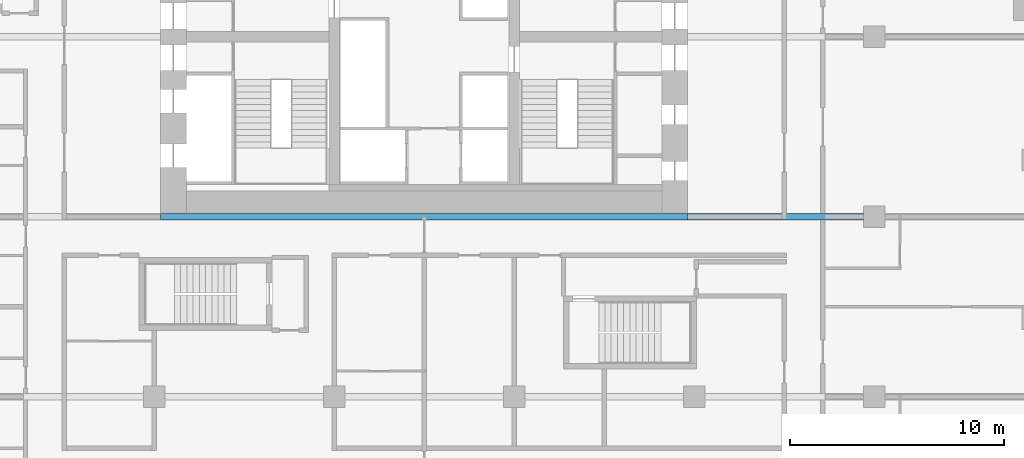
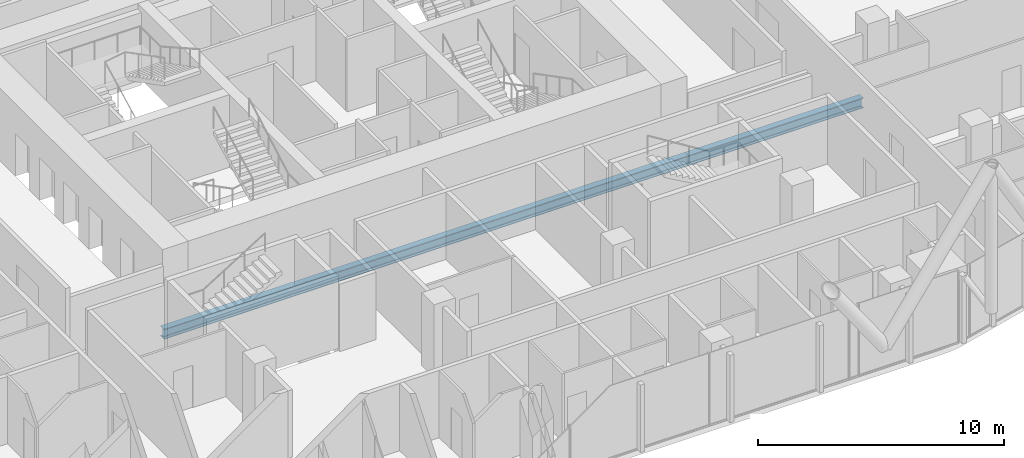
# One storey, part 7 of 38: 2 beams.
"""IFC4 building model written with IfcOpenShell, lengths in metres."""

from ifc_helpers import new_model, si_unit, direction, frame, origin, origin_2d, place, context, subcontext, project, spatial, i_section, extrude, material, material_profile, profile_set, type_object, element, save


model = new_model("IFC4")

# Units and contexts
model_context = context("Model", 3, precision=1e-05, world=origin(), true_north=direction((0.0, 1.0)))
body_context = subcontext(model_context, "Body", "Model", "MODEL_VIEW")
ifc_project = project(units=[si_unit("LENGTHUNIT", "METRE"), si_unit("AREAUNIT", "SQUARE_METRE"), si_unit("VOLUMEUNIT", "CUBIC_METRE"), si_unit("PLANEANGLEUNIT", "RADIAN"), si_unit("MASSUNIT", "GRAM", prefix="KILO")], contexts=[model_context])

# Site, building, storey
site_placement = place(None, origin())
site = spatial("IfcSite", under=ifc_project, at=site_placement, CompositionType="ELEMENT")
building_placement = place(site_placement, origin())
building = spatial("IfcBuilding", under=site, at=building_placement, Name="Marenta Gate Hotel Tower", CompositionType="ELEMENT")
storey_placement = place(building_placement, frame((0.0, 0.0, 40.10009765625)))
storey = spatial("IfcBuildingStorey", under=building, at=storey_placement, Name="L07", CompositionType="ELEMENT", Elevation=40.10009765625)

# Beams
ifc_material = material(Name="Steel S355", Category="steel")
ifc_material_profile = material_profile(ifc_material, i_section(OverallWidth=0.300048828125, OverallDepth=0.5, WebThickness=0.014404296875, FlangeThickness=0.028076171875, FilletRadius=0.027099609375, at=origin_2d()), Name="HEB 500")
ifc_profile_set = profile_set([ifc_material_profile], Name="Steel S355")
beam_type = type_object("IfcBeamType", Name="Girder HEB 500", PredefinedType="BEAM", material=ifc_profile_set)
beam_1_placement = place(storey_placement, frame((-12.300048828125, 0.0, -0.510009765625), z_axis=(1.0, 0.0, 0.0), x_axis=(0.0, 1.0, 0.0)))
element("IfcBeam", 1, at=beam_1_placement, inside=storey, type_object=beam_type, Name="L07-GD-10", PredefinedType="BEAM", context=body_context, shape_type="SweptSolid", body=[
    extrude(i_section(OverallWidth=0.300048828125, OverallDepth=0.5, WebThickness=0.014404296875, FlangeThickness=0.028076171875, FilletRadius=0.027099609375, at=origin_2d()), origin(), (0.0, 0.0, 1.0), 24.60009765625),
])
beam_2_placement = place(storey_placement, frame((12.300048828125, 0.0, -0.510009765625), z_axis=(1.0, 0.0, 0.0), x_axis=(0.0, 1.0, 0.0)))
element("IfcBeam", 2, at=beam_2_placement, inside=storey, type_object=beam_type, Name="L07-GD-11", PredefinedType="BEAM", context=body_context, shape_type="SweptSolid", body=[
    extrude(i_section(OverallWidth=0.300048828125, OverallDepth=0.5, WebThickness=0.014404296875, FlangeThickness=0.028076171875, FilletRadius=0.027099609375, at=origin_2d()), origin(), (0.0, 0.0, 1.0), 8.199951171875),
])

save(model, "model.ifc")
